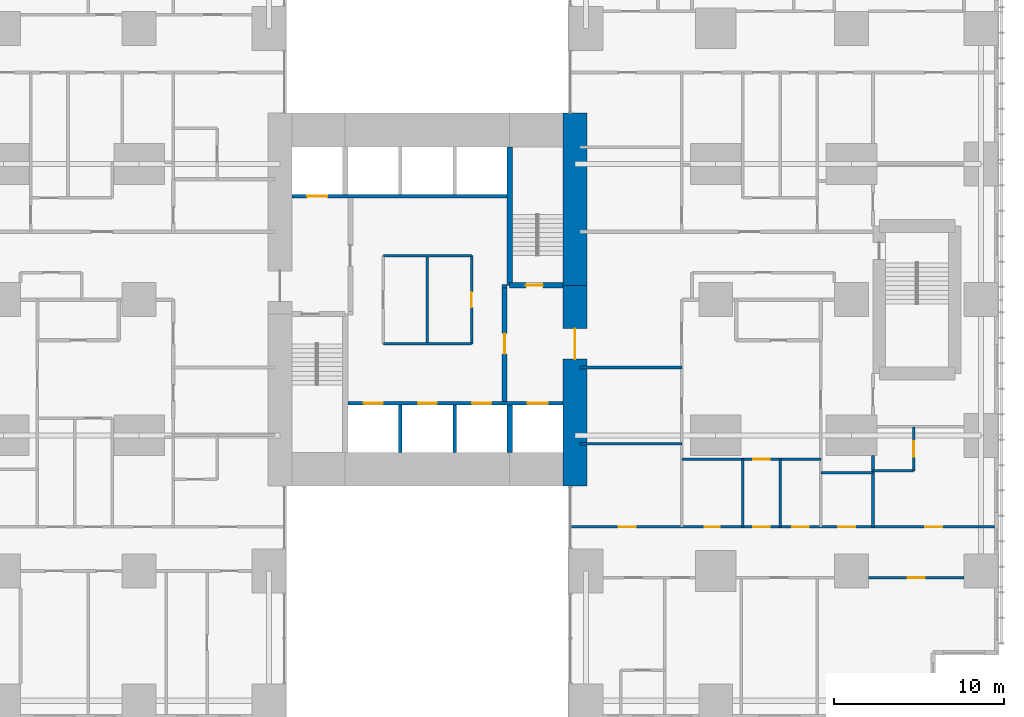
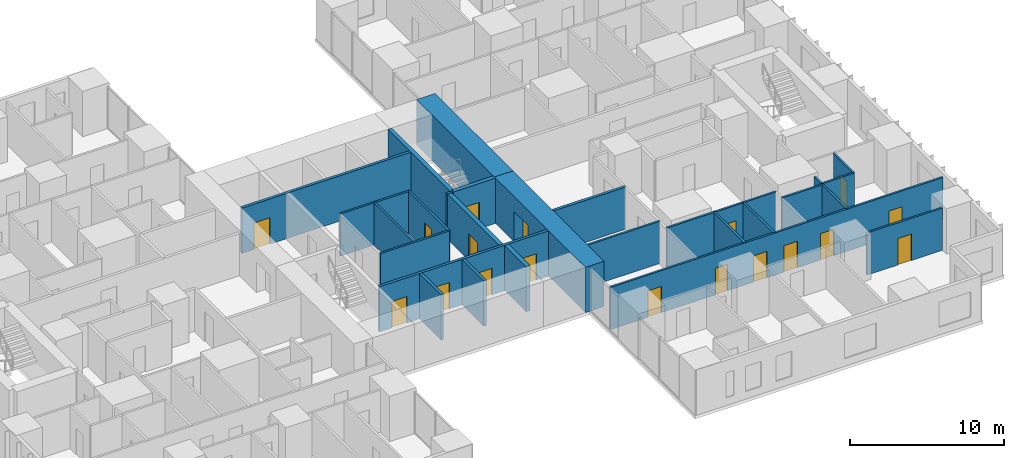
# One storey, part 15 of 20: 26 walls, 18 doors, 18 openings.
"""IFC4 building model written with IfcOpenShell, lengths in metres."""

import ifcopenshell
import ifcopenshell.guid

model = None  # the IFC model being written
_history = None  # IfcOwnerHistory: only IFC2X3 demands one
_inside = {}  # id of a spatial element -> (the spatial element, [elements in it])
_under = {}  # id of a project, library or spatial element -> (it, [spatial elements below it])
_declared = {}  # id of a project -> (the project, [libraries it declares])
_typed = {}  # id of a type object -> (the type object, [elements of that type])
_made_of = {}  # id of a material, layer set ... -> (it, [elements and type objects made of it])


def new_model(schema):
    """Start an empty IFC model of exactly this schema.

    Asked for "IFC4X3", IfcOpenShell would pick the latest addendum, in which some entities
    have other attributes; the version numbers below select the first issue.
    IFC2X3 requires an IfcOwnerHistory on every rooted entity: one is made here for all.
    """
    global model, _history
    if schema == "IFC4X3":
        model = ifcopenshell.file(schema_version=(4, 3, 0, 0))
    else:
        model = ifcopenshell.file(schema=schema)
    _inside.clear()
    _under.clear()
    _declared.clear()
    _typed.clear()
    _made_of.clear()
    _history = None
    if model.schema == "IFC2X3":
        org = make("IfcOrganization", Name="unknown")
        user = make(
            "IfcPersonAndOrganization",
            ThePerson=make("IfcPerson", FamilyName="unknown"),
            TheOrganization=org,
        )
        app = make(
            "IfcApplication",
            ApplicationDeveloper=org,
            Version="unknown",
            ApplicationFullName="unknown",
            ApplicationIdentifier="unknown",
        )
        _history = make(
            "IfcOwnerHistory",
            OwningUser=user,
            OwningApplication=app,
            ChangeAction="ADDED",
            CreationDate=0,
        )
    return model


def make(cls, **values):
    """One entity of the class cls with the attributes given. An attribute that is None is left unset."""
    return model.create_entity(
        cls, **{name: value for name, value in values.items() if value is not None}
    )


def rooted(cls, **values):
    """An entity with a GlobalId (a new one), such as an element, a storey or a relation."""
    return make(cls, GlobalId=ifcopenshell.guid.new(), OwnerHistory=_history, **values)


def si_unit(unit_type, name, prefix=None):
    """IfcSIUnit, for example si_unit("LENGTHUNIT", "METRE", prefix="MILLI")."""
    return make("IfcSIUnit", UnitType=unit_type, Prefix=prefix, Name=name)


def assignment(units):
    """IfcUnitAssignment: the units of a project."""
    return None if units is None else make("IfcUnitAssignment", Units=units)


def point(xyz):
    """IfcCartesianPoint."""
    return None if xyz is None else make("IfcCartesianPoint", Coordinates=xyz)


def direction(xyz):
    """IfcDirection."""
    return None if xyz is None else make("IfcDirection", DirectionRatios=xyz)


def frame(location, z_axis=None, x_axis=None):
    """IfcAxis2Placement3D, a coordinate frame: its origin and axes. An axis left out is left unset."""
    return make(
        "IfcAxis2Placement3D",
        Location=point(location),
        Axis=direction(z_axis),
        RefDirection=direction(x_axis),
    )


def frame_2d(location, x_axis=None):
    """IfcAxis2Placement2D, a coordinate frame in the plane: its origin and x axis."""
    return make(
        "IfcAxis2Placement2D", Location=point(location), RefDirection=direction(x_axis)
    )


def origin():
    """The frame at (0, 0, 0) with its axes left unset."""
    return frame((0.0, 0.0, 0.0))


def place(relative_to, where):
    """IfcLocalPlacement: puts the frame where relative to a parent placement (None: the world)."""
    return make(
        "IfcLocalPlacement", PlacementRelTo=relative_to, RelativePlacement=where
    )


def context(
    kind, dimensions, precision=None, world=None, true_north=None, identifier=None
):
    """IfcGeometricRepresentationContext, for example the 3D "Model" context."""
    return make(
        "IfcGeometricRepresentationContext",
        ContextIdentifier=identifier,
        ContextType=kind,
        CoordinateSpaceDimension=dimensions,
        Precision=precision,
        WorldCoordinateSystem=world,
        TrueNorth=true_north,
    )


def subcontext(parent, identifier, kind, view, scale=None):
    """IfcGeometricRepresentationSubContext, for example "Body" below "Model"."""
    return make(
        "IfcGeometricRepresentationSubContext",
        ContextIdentifier=identifier,
        ContextType=kind,
        ParentContext=parent,
        TargetScale=scale,
        TargetView=view,
    )


def project(units=None, contexts=None):
    """IfcProject with its units and contexts."""
    return rooted(
        "IfcProject",
        Name="project",
        RepresentationContexts=contexts,
        UnitsInContext=assignment(units),
    )


def spatial(cls, under=None, at=None, **own):
    """A site, building, storey or space (cls), placed at a placement, below another one or the project."""
    s = rooted(cls, ObjectPlacement=at, **own)
    if under is not None:
        _under.setdefault(under.id(), (under, []))[1].append(s)
    return s


def profile(cls, at=None, kind="AREA", **sizes):
    """A parametric profile (cls). Its sizes go by their IFC names, for example OverallWidth=200.0."""
    return make(cls, ProfileType=kind, Position=at, **sizes)


def rectangle(**sizes):
    """IfcRectangleProfileDef."""
    return profile("IfcRectangleProfileDef", **sizes)


def extrude(swept, where, along, depth):
    """IfcExtrudedAreaSolid: the profile swept, set in the frame where, extruded along a direction by depth."""
    return make(
        "IfcExtrudedAreaSolid",
        SweptArea=swept,
        Position=where,
        ExtrudedDirection=direction(along),
        Depth=depth,
    )


def shape(context_of_items, identifier, shape_type, items):
    """IfcShapeRepresentation: the items that make up one representation, for example the "Body"."""
    return make(
        "IfcShapeRepresentation",
        ContextOfItems=context_of_items,
        RepresentationIdentifier=identifier,
        RepresentationType=shape_type,
        Items=items,
    )


def material(Name=None, Category=None):
    """IfcMaterial."""
    return make("IfcMaterial", Name=Name, Category=Category)


def layer(
    of_material, thickness, ventilated=None, Name=None, Category=None, Priority=None
):
    """IfcMaterialLayer: one layer of a wall or slab, of a material (None: an air gap)."""
    return make(
        "IfcMaterialLayer",
        Material=of_material,
        LayerThickness=thickness,
        IsVentilated=ventilated,
        Name=Name,
        Category=Category,
        Priority=Priority,
    )


def layer_set(layers, Name=None):
    """IfcMaterialLayerSet."""
    return make("IfcMaterialLayerSet", MaterialLayers=layers, LayerSetName=Name)


def made_of(thing, what):
    """Note that an element or type object is made of a material, layer set ...; save() writes the relation."""
    if what is not None:
        _made_of.setdefault(what.id(), (what, []))[1].append(thing)
    return thing


def type_object(cls, material=None, **own):
    """A type object (cls), such as IfcWallType, which elements share."""
    return made_of(rooted(cls, **own), material)


def element(
    cls,
    number,
    at=None,
    inside=None,
    cuts=None,
    type_object=None,
    material=None,
    context=None,
    identifier="Body",
    shape_type=None,
    held_by="IfcProductDefinitionShape",
    body=None,
    shapes=None,
    **own,
):
    """One element of the class cls, such as IfcWall. Its Tag is "e" and its number.

    at: its placement. inside: the storey or other place that contains it. cuts: it is an
    opening in that element (IfcRelVoidsElement). A single representation is given by context,
    identifier, shape_type and body (its items); several are given by shapes. held_by: the class
    of the entity that holds the representations. save() writes the other relations.
    """
    e = rooted(cls, Tag="e%d" % number, ObjectPlacement=at, **own)
    if body is not None:
        shapes = [shape(context, identifier, shape_type, body)]
    if shapes is not None:
        e.Representation = make(held_by, Representations=shapes)
    if inside is not None:
        _inside.setdefault(inside.id(), (inside, []))[1].append(e)
    if cuts is not None:
        rooted(
            "IfcRelVoidsElement", RelatingBuildingElement=cuts, RelatedOpeningElement=e
        )
    if type_object is not None:
        _typed.setdefault(type_object.id(), (type_object, []))[1].append(e)
    return made_of(e, material)


def fill(opening, filler):
    """IfcRelFillsElement: the door or window that sits in an opening."""
    return rooted(
        "IfcRelFillsElement",
        RelatingOpeningElement=opening,
        RelatedBuildingElement=filler,
    )


def aggregate(whole, parts):
    """IfcRelAggregates: a whole, such as a stair, and the parts it consists of."""
    return rooted("IfcRelAggregates", RelatingObject=whole, RelatedObjects=parts)


def save(model, path):
    """Write the relations noted so far, then the file.

    IfcRelAggregates (storeys below a building ...), IfcRelContainedInSpatialStructure (elements
    in a storey), IfcRelDefinesByType, IfcRelAssociatesMaterial and IfcRelDeclares: one each for
    every whole, place, type object, material and project.
    """
    for whole, parts in _under.values():
        aggregate(whole, parts)
    for where, things in _inside.values():
        rooted(
            "IfcRelContainedInSpatialStructure",
            RelatedElements=things,
            RelatingStructure=where,
        )
    for kind, things in _typed.values():
        rooted("IfcRelDefinesByType", RelatedObjects=things, RelatingType=kind)
    for what, things in _made_of.values():
        rooted("IfcRelAssociatesMaterial", RelatedObjects=things, RelatingMaterial=what)
    for by, libraries in _declared.values():
        rooted("IfcRelDeclares", RelatingContext=by, RelatedDefinitions=libraries)
    model.write(path)


model = new_model("IFC4")

# Units and contexts
model_context = context("Model", 3, precision=1e-05, world=origin(), true_north=direction((0.0, 1.0)))
body_context = subcontext(model_context, "Body", "Model", "MODEL_VIEW")
ifc_project = project(units=[si_unit("LENGTHUNIT", "METRE"), si_unit("AREAUNIT", "SQUARE_METRE"), si_unit("VOLUMEUNIT", "CUBIC_METRE"), si_unit("PLANEANGLEUNIT", "RADIAN"), si_unit("MASSUNIT", "GRAM", prefix="KILO")], contexts=[model_context])

# Site, building, storey
site_placement = place(None, origin())
site = spatial("IfcSite", under=ifc_project, at=site_placement, CompositionType="ELEMENT")
building_placement = place(site_placement, origin())
building = spatial("IfcBuilding", under=site, at=building_placement, Name="Cleftline Residences", CompositionType="ELEMENT")
storey_placement = place(building_placement, frame((0.0, 0.0, 36.800048828125)))
storey = spatial("IfcBuildingStorey", under=building, at=storey_placement, Name="L08", CompositionType="ELEMENT", Elevation=36.800048828125)

# Wall, opening, door
ifc_material_1 = material(Name="Concrete B70", Category="concrete")
ifc_layer_1 = layer(ifc_material_1, 1.39990234375)
ifc_layer_set_1 = layer_set([ifc_layer_1], Name="CORE WALL 1400")
wall_type_1 = type_object("IfcWallType", Name="CORE WALL 1400", PredefinedType="SHEAR", material=ifc_layer_set_1)
wall_1_placement = place(storey_placement, frame((41.699951171875, 13.0, 0.0), z_axis=(0.0, 0.0, 1.0), x_axis=(0.0, 1.0, 0.0)))
wall_1 = element("IfcWall", 1, at=wall_1_placement, inside=storey, type_object=wall_type_1, Name="Core wall E", PredefinedType="SHEAR", context=body_context, shape_type="SweptSolid", body=[
    extrude(rectangle(XDim=11.85009765625, YDim=1.39990234375, at=frame_2d((5.925048828125, 0.0))), origin(), (0.0, 0.0, 1.0), 3.599853515625),
])
opening_1_placement = place(wall_1_placement, frame((7.5, 0.0, 0.0)))
opening_1 = element("IfcOpeningElement", 2, at=opening_1_placement, cuts=wall_1, Name="Opening D7", PredefinedType="OPENING", context=body_context, shape_type="SweptSolid", body=[
    extrude(rectangle(XDim=1.800048828125, YDim=2.39990234375, at=frame_2d((0.89990234375, 1.199951171875))), frame((0.0, 0.7099609375, 0.0), z_axis=(0.0, -1.0, 0.0), x_axis=(1.0, 0.0, 0.0)), (0.0, 0.0, 1.0), 1.419921875),
])
ifc_material_2 = material(Name="Steel", Category="steel")
door_type_1 = type_object("IfcDoorType", Name="WING DOOR 1800X2400", OperationType="DOUBLE_DOOR_DOUBLE_SWING", PredefinedType="DOOR", material=ifc_material_2)
door_1_placement = place(opening_1_placement, origin())
door_1 = element("IfcDoor", 3, at=door_1_placement, inside=storey, type_object=door_type_1, Name="East wing door", OperationType="DOUBLE_DOOR_DOUBLE_SWING", OverallHeight=2.39990234375, OverallWidth=1.800048828125, PredefinedType="DOOR", context=body_context, shape_type="SweptSolid", body=[
    extrude(rectangle(XDim=1.800048828125, YDim=2.39990234375, at=frame_2d((0.89990234375, 1.199951171875))), frame((0.0, 0.02490234375, 0.0), z_axis=(0.0, -1.0, 0.0), x_axis=(1.0, 0.0, 0.0)), (0.0, 0.0, 1.0), 0.050048828125),
])
fill(opening_1, door_1)

# Walls
wall_2_placement = place(storey_placement, frame((41.699951171875, 24.85009765625, 0.0), z_axis=(0.0, 0.0, 1.0), x_axis=(0.0, 1.0, 0.0)))
element("IfcWall", 4, at=wall_2_placement, inside=storey, type_object=wall_type_1, Name="Core wall E1", PredefinedType="SHEAR", context=body_context, shape_type="SweptSolid", body=[
    extrude(rectangle(XDim=10.14990234375, YDim=1.39990234375, at=frame_2d((5.074951171875, 0.0))), origin(), (0.0, 0.0, 1.0), 3.599853515625),
])
ifc_material_3 = material(Name="Concrete B70", Category="concrete")
ifc_layer_2 = layer(ifc_material_3, 0.300048828125)
ifc_layer_set_2 = layer_set([ifc_layer_2], Name="CORE WALL 300")
wall_type_2 = type_object("IfcWallType", Name="CORE WALL 300", PredefinedType="SHEAR", material=ifc_layer_set_2)
wall_3_placement = place(storey_placement, frame((37.85009765625, 24.85009765625, 0.0), z_axis=(0.0, 0.0, 1.0), x_axis=(0.0, 1.0, 0.0)))
element("IfcWall", 5, at=wall_3_placement, inside=storey, type_object=wall_type_2, Name="Core wall SB-W", PredefinedType="SHEAR", context=body_context, shape_type="SweptSolid", body=[
    extrude(rectangle(XDim=8.14990234375, YDim=0.300048828125, at=frame_2d((4.074951171875, 0.0))), origin(), (0.0, 0.0, 1.0), 3.599853515625),
])

# Wall, opening, door
wall_4_placement = place(storey_placement, frame((37.85009765625, 24.85009765625, 0.0), z_axis=(0.0, 0.0, 1.0), x_axis=(1.0, 0.0, 0.0)))
wall_4 = element("IfcWall", 6, at=wall_4_placement, inside=storey, type_object=wall_type_2, Name="Core wall SB-S", PredefinedType="SHEAR", context=body_context, shape_type="SweptSolid", body=[
    extrude(rectangle(XDim=3.14990234375, YDim=0.300048828125, at=frame_2d((1.574951171875, 0.0))), origin(), (0.0, 0.0, 1.0), 3.599853515625),
])
opening_2_placement = place(wall_4_placement, frame((0.949951171875, 0.0, 0.0)))
opening_2 = element("IfcOpeningElement", 7, at=opening_2_placement, cuts=wall_4, Name="Opening D5", PredefinedType="OPENING", context=body_context, shape_type="SweptSolid", body=[
    extrude(rectangle(XDim=1.0, YDim=2.10009765625, at=frame_2d((0.5, 1.050048828125))), frame((0.0, 0.159912109375, 0.0), z_axis=(0.0, -1.0, 0.0), x_axis=(1.0, 0.0, 0.0)), (0.0, 0.0, 1.0), 0.320068359375),
])
ifc_material_4 = material(Name="Steel", Category="steel")
door_type_2 = type_object("IfcDoorType", Name="STAIR DOOR 1000X2100", OperationType="SINGLE_SWING_LEFT", PredefinedType="DOOR", material=ifc_material_4)
door_2_placement = place(opening_2_placement, origin())
door_2 = element("IfcDoor", 8, at=door_2_placement, inside=storey, type_object=door_type_2, Name="Stair B door", OperationType="SINGLE_SWING_RIGHT", OverallHeight=2.10009765625, OverallWidth=1.0, PredefinedType="DOOR", context=body_context, shape_type="SweptSolid", body=[
    extrude(rectangle(XDim=1.0, YDim=2.10009765625, at=frame_2d((0.5, 1.050048828125))), frame((0.0, 0.02490234375, 0.0), z_axis=(0.0, -1.0, 0.0), x_axis=(1.0, 0.0, 0.0)), (0.0, 0.0, 1.0), 0.050048828125),
])
fill(opening_2, door_2)

# Walls
wall_5_placement = place(storey_placement, frame((37.85009765625, 15.0, 0.0), z_axis=(0.0, 0.0, 1.0), x_axis=(0.0, 1.0, 0.0)))
element("IfcWall", 9, at=wall_5_placement, inside=storey, type_object=wall_type_2, Name="Lift shaft wall", PredefinedType="SHEAR", context=body_context, shape_type="SweptSolid", body=[
    extrude(rectangle(XDim=2.800048828125, YDim=0.300048828125, at=frame_2d((1.39990234375, 0.0))), origin(), (0.0, 0.0, 1.0), 3.599853515625),
])
ifc_material_5 = material(Name="Concrete blockwork, fire rated", Category="masonry")
ifc_layer_3 = layer(ifc_material_5, 0.199951171875)
ifc_layer_set_3 = layer_set([ifc_layer_3], Name="FIRE WALL 200")
wall_type_3 = type_object("IfcWallType", Name="FIRE WALL 200", PredefinedType="PARTITIONING", material=ifc_layer_set_3)
wall_6_placement = place(storey_placement, frame((42.0, 20.0, 0.0), z_axis=(0.0, 0.0, 1.0), x_axis=(1.0, 0.0, 0.0)))
element("IfcWall", 10, at=wall_6_placement, inside=storey, type_object=wall_type_3, Name="Fire separating wall", PredefinedType="PARTITIONING", context=body_context, shape_type="SweptSolid", body=[
    extrude(rectangle(XDim=6.0, YDim=0.199951171875, at=frame_2d((3.0, 0.0))), origin(), (0.0, 0.0, 1.0), 3.349853515625),
])
wall_7_placement = place(storey_placement, frame((37.39990234375, 24.800048828125, 0.0), z_axis=(0.0, 0.0, 1.0), x_axis=(1.0, 0.0, 0.0)))
element("IfcWall", 11, at=wall_7_placement, inside=storey, type_object=wall_type_3, Name="Fire separating wall", PredefinedType="PARTITIONING", context=body_context, shape_type="SweptSolid", body=[
    extrude(rectangle(XDim=0.300048828125, YDim=0.199951171875, at=frame_2d((0.14990234375, 0.0))), origin(), (0.0, 0.0, 1.0), 3.599853515625),
])

# Wall, opening, door
ifc_material_6 = material(Name="Gypsum board on steel studs", Category="steel")
ifc_layer_4 = layer(ifc_material_6, 0.14990234375)
ifc_layer_set_4 = layer_set([ifc_layer_4], Name="PARTITION 150")
wall_type_4 = type_object("IfcWallType", Name="PARTITION 150", PredefinedType="PARTITIONING", material=ifc_layer_set_4)
wall_8_placement = place(storey_placement, frame((59.0, 7.60009765625, 0.0), z_axis=(0.0, 0.0, 1.0), x_axis=(1.0, 0.0, 0.0)))
wall_8 = element("IfcWall", 12, at=wall_8_placement, inside=storey, type_object=wall_type_4, Name="Partition", PredefinedType="PARTITIONING", context=body_context, shape_type="SweptSolid", body=[
    extrude(rectangle(XDim=5.64990234375, YDim=0.14990234375, at=frame_2d((2.824951171875, 0.0))), origin(), (0.0, 0.0, 1.0), 3.349853515625),
])
opening_3_placement = place(wall_8_placement, frame((2.324951171875, 0.0, 0.0)))
opening_3 = element("IfcOpeningElement", 13, at=opening_3_placement, cuts=wall_8, Name="Opening D2", PredefinedType="OPENING", context=body_context, shape_type="SweptSolid", body=[
    extrude(rectangle(XDim=1.0, YDim=2.10009765625, at=frame_2d((0.5, 1.050048828125))), frame((0.0, 0.0849609375, 0.0), z_axis=(0.0, -1.0, 0.0), x_axis=(1.0, 0.0, 0.0)), (0.0, 0.0, 1.0), 0.169921875),
])
ifc_material_7 = material(Name="Timber veneer on solid core", Category="wood")
door_type_3 = type_object("IfcDoorType", Name="DOOR 1000X2100", OperationType="SINGLE_SWING_LEFT", PredefinedType="DOOR", material=ifc_material_7)
door_3_placement = place(opening_3_placement, origin())
door_3 = element("IfcDoor", 14, at=door_3_placement, inside=storey, type_object=door_type_3, Name="Door to sea-view lounge", OperationType="SINGLE_SWING_LEFT", OverallHeight=2.10009765625, OverallWidth=1.0, PredefinedType="DOOR", context=body_context, shape_type="SweptSolid", body=[
    extrude(rectangle(XDim=1.0, YDim=2.10009765625, at=frame_2d((0.5, 1.050048828125))), frame((0.0, 0.02490234375, 0.0), z_axis=(0.0, -1.0, 0.0), x_axis=(1.0, 0.0, 0.0)), (0.0, 0.0, 1.0), 0.050048828125),
])
fill(opening_3, door_3)

# Wall, openings, doors
wall_9_placement = place(storey_placement, frame((41.43896484375, 10.60009765625, 0.0), z_axis=(0.0, 0.0, 1.0), x_axis=(1.0, 0.0, 0.0)))
wall_9 = element("IfcWall", 15, at=wall_9_placement, inside=storey, type_object=wall_type_4, Name="Partition", PredefinedType="PARTITIONING", context=body_context, shape_type="SweptSolid", body=[
    extrude(rectangle(XDim=25.010986328125, YDim=0.14990234375, at=frame_2d((12.50537109375, 0.0))), origin(), (0.0, 0.0, 1.0), 3.349853515625),
])
opening_4_placement = place(wall_9_placement, frame((10.760986328125, 0.0, 0.0)))
opening_4 = element("IfcOpeningElement", 16, at=opening_4_placement, cuts=wall_9, Name="Opening D2", PredefinedType="OPENING", context=body_context, shape_type="SweptSolid", body=[
    extrude(rectangle(XDim=1.0, YDim=2.10009765625, at=frame_2d((0.5, 1.050048828125))), frame((0.0, 0.0849609375, 0.0), z_axis=(0.0, -1.0, 0.0), x_axis=(1.0, 0.0, 0.0)), (0.0, 0.0, 1.0), 0.169921875),
])
opening_5_placement = place(wall_9_placement, frame((20.923583984375, 0.0, 0.0)))
opening_5 = element("IfcOpeningElement", 17, at=opening_5_placement, cuts=wall_9, Name="Opening D2", PredefinedType="OPENING", context=body_context, shape_type="SweptSolid", body=[
    extrude(rectangle(XDim=1.0, YDim=2.10009765625, at=frame_2d((0.5, 1.050048828125))), frame((0.0, 0.0849609375, 0.0), z_axis=(0.0, -1.0, 0.0), x_axis=(1.0, 0.0, 0.0)), (0.0, 0.0, 1.0), 0.169921875),
])
opening_6_placement = place(wall_9_placement, frame((15.798583984375, 0.0, 0.0)))
opening_6 = element("IfcOpeningElement", 18, at=opening_6_placement, cuts=wall_9, Name="Opening D2", PredefinedType="OPENING", context=body_context, shape_type="SweptSolid", body=[
    extrude(rectangle(XDim=1.0, YDim=2.10009765625, at=frame_2d((0.5, 1.050048828125))), frame((0.0, 0.0849609375, 0.0), z_axis=(0.0, -1.0, 0.0), x_axis=(1.0, 0.0, 0.0)), (0.0, 0.0, 1.0), 0.169921875),
])
opening_7_placement = place(wall_9_placement, frame((13.06103515625, 0.0, 0.0)))
opening_7 = element("IfcOpeningElement", 19, at=opening_7_placement, cuts=wall_9, Name="Opening D2", PredefinedType="OPENING", context=body_context, shape_type="SweptSolid", body=[
    extrude(rectangle(XDim=1.0, YDim=2.10009765625, at=frame_2d((0.5, 1.050048828125))), frame((0.0, 0.0849609375, 0.0), z_axis=(0.0, -1.0, 0.0), x_axis=(1.0, 0.0, 0.0)), (0.0, 0.0, 1.0), 0.169921875),
])
opening_8_placement = place(wall_9_placement, frame((7.910888671875, 0.0, 0.0)))
opening_8 = element("IfcOpeningElement", 20, at=opening_8_placement, cuts=wall_9, Name="Opening D1", PredefinedType="OPENING", context=body_context, shape_type="SweptSolid", body=[
    extrude(rectangle(XDim=0.89990234375, YDim=2.10009765625, at=frame_2d((0.449951171875, 1.050048828125))), frame((0.0, 0.0849609375, 0.0), z_axis=(0.0, -1.0, 0.0), x_axis=(1.0, 0.0, 0.0)), (0.0, 0.0, 1.0), 0.169921875),
])
opening_9_placement = place(wall_9_placement, frame((2.8359375, 0.0, 0.0)))
opening_9 = element("IfcOpeningElement", 21, at=opening_9_placement, cuts=wall_9, Name="Opening D2", PredefinedType="OPENING", context=body_context, shape_type="SweptSolid", body=[
    extrude(rectangle(XDim=1.0, YDim=2.10009765625, at=frame_2d((0.5, 1.050048828125))), frame((0.0, 0.0849609375, 0.0), z_axis=(0.0, -1.0, 0.0), x_axis=(1.0, 0.0, 0.0)), (0.0, 0.0, 1.0), 0.169921875),
])
door_4_placement = place(opening_4_placement, origin())
door_4 = element("IfcDoor", 22, at=door_4_placement, inside=storey, type_object=door_type_3, Name="Door to residence hall", OperationType="SINGLE_SWING_RIGHT", OverallHeight=2.10009765625, OverallWidth=1.0, PredefinedType="DOOR", context=body_context, shape_type="SweptSolid", body=[
    extrude(rectangle(XDim=1.0, YDim=2.10009765625, at=frame_2d((0.5, 1.050048828125))), frame((0.0, 0.02490234375, 0.0), z_axis=(0.0, -1.0, 0.0), x_axis=(1.0, 0.0, 0.0)), (0.0, 0.0, 1.0), 0.050048828125),
])
fill(opening_4, door_4)
door_5_placement = place(opening_5_placement, origin())
door_5 = element("IfcDoor", 23, at=door_5_placement, inside=storey, type_object=door_type_3, Name="Door to master bedroom", OperationType="SINGLE_SWING_LEFT", OverallHeight=2.10009765625, OverallWidth=1.0, PredefinedType="DOOR", context=body_context, shape_type="SweptSolid", body=[
    extrude(rectangle(XDim=1.0, YDim=2.10009765625, at=frame_2d((0.5, 1.050048828125))), frame((0.0, 0.02490234375, 0.0), z_axis=(0.0, -1.0, 0.0), x_axis=(1.0, 0.0, 0.0)), (0.0, 0.0, 1.0), 0.050048828125),
])
fill(opening_5, door_5)
door_6_placement = place(opening_6_placement, origin())
door_6 = element("IfcDoor", 24, at=door_6_placement, inside=storey, type_object=door_type_3, Name="Door to wet kitchen", OperationType="SINGLE_SWING_LEFT", OverallHeight=2.10009765625, OverallWidth=1.0, PredefinedType="DOOR", context=body_context, shape_type="SweptSolid", body=[
    extrude(rectangle(XDim=1.0, YDim=2.10009765625, at=frame_2d((0.5, 1.050048828125))), frame((0.0, 0.02490234375, 0.0), z_axis=(0.0, -1.0, 0.0), x_axis=(1.0, 0.0, 0.0)), (0.0, 0.0, 1.0), 0.050048828125),
])
fill(opening_6, door_6)
door_7_placement = place(opening_7_placement, origin())
door_7 = element("IfcDoor", 25, at=door_7_placement, inside=storey, type_object=door_type_3, Name="Door to media room", OperationType="SINGLE_SWING_LEFT", OverallHeight=2.10009765625, OverallWidth=1.0, PredefinedType="DOOR", context=body_context, shape_type="SweptSolid", body=[
    extrude(rectangle(XDim=1.0, YDim=2.10009765625, at=frame_2d((0.5, 1.050048828125))), frame((0.0, 0.02490234375, 0.0), z_axis=(0.0, -1.0, 0.0), x_axis=(1.0, 0.0, 0.0)), (0.0, 0.0, 1.0), 0.050048828125),
])
fill(opening_7, door_7)
door_8_placement = place(opening_9_placement, origin())
door_8 = element("IfcDoor", 26, at=door_8_placement, inside=storey, type_object=door_type_3, Name="Door to study", OperationType="SINGLE_SWING_RIGHT", OverallHeight=2.10009765625, OverallWidth=1.0, PredefinedType="DOOR", context=body_context, shape_type="SweptSolid", body=[
    extrude(rectangle(XDim=1.0, YDim=2.10009765625, at=frame_2d((0.5, 1.050048828125))), frame((0.0, 0.02490234375, 0.0), z_axis=(0.0, -1.0, 0.0), x_axis=(1.0, 0.0, 0.0)), (0.0, 0.0, 1.0), 0.050048828125),
])
fill(opening_9, door_8)
ifc_material_8 = material(Name="Timber veneer on solid core", Category="wood")
door_type_4 = type_object("IfcDoorType", Name="DOOR 900X2100", OperationType="SINGLE_SWING_LEFT", PredefinedType="DOOR", material=ifc_material_8)
door_9_placement = place(opening_8_placement, origin())
door_9 = element("IfcDoor", 27, at=door_9_placement, inside=storey, type_object=door_type_4, Name="Door to bedroom 2 bathroom", OperationType="SINGLE_SWING_RIGHT", OverallHeight=2.10009765625, OverallWidth=0.89990234375, PredefinedType="DOOR", context=body_context, shape_type="SweptSolid", body=[
    extrude(rectangle(XDim=0.89990234375, YDim=2.10009765625, at=frame_2d((0.449951171875, 1.050048828125))), frame((0.0, 0.02490234375, 0.0), z_axis=(0.0, -1.0, 0.0), x_axis=(1.0, 0.0, 0.0)), (0.0, 0.0, 1.0), 0.050048828125),
])
fill(opening_8, door_9)

# Walls
wall_10_placement = place(storey_placement, frame((56.199951171875, 13.800048828125, 0.0), z_axis=(0.0, 0.0, 1.0), x_axis=(1.0, 0.0, 0.0)))
element("IfcWall", 28, at=wall_10_placement, inside=storey, type_object=wall_type_4, Name="Partition", PredefinedType="PARTITIONING", context=body_context, shape_type="SweptSolid", body=[
    extrude(rectangle(XDim=3.074951171875, YDim=0.14990234375, at=frame_2d((1.53759765625, 0.0))), origin(), (0.0, 0.0, 1.0), 3.349853515625),
])
wall_11_placement = place(storey_placement, frame((59.27490234375, 13.89990234375, 0.0), z_axis=(0.0, 0.0, 1.0), x_axis=(1.0, 0.0, 0.0)))
element("IfcWall", 29, at=wall_11_placement, inside=storey, type_object=wall_type_4, Name="Partition", PredefinedType="PARTITIONING", context=body_context, shape_type="SweptSolid", body=[
    extrude(rectangle(XDim=2.400146484375, YDim=0.14990234375, at=frame_2d((1.2001953125, 0.0))), origin(), (0.0, 0.0, 1.0), 3.349853515625),
])

# Wall, opening, door
wall_12_placement = place(storey_placement, frame((48.0, 14.60009765625, 0.0), z_axis=(0.0, 0.0, 1.0), x_axis=(1.0, 0.0, 0.0)))
wall_12 = element("IfcWall", 30, at=wall_12_placement, inside=storey, type_object=wall_type_4, Name="Partition", PredefinedType="PARTITIONING", context=body_context, shape_type="SweptSolid", body=[
    extrude(rectangle(XDim=8.199951171875, YDim=0.14990234375, at=frame_2d((4.10009765625, 0.0))), origin(), (0.0, 0.0, 1.0), 3.349853515625),
])
opening_10_placement = place(wall_12_placement, frame((4.199951171875, 0.0, 0.0)))
opening_10 = element("IfcOpeningElement", 31, at=opening_10_placement, cuts=wall_12, Name="Opening D2", PredefinedType="OPENING", context=body_context, shape_type="SweptSolid", body=[
    extrude(rectangle(XDim=1.0, YDim=2.10009765625, at=frame_2d((0.5, 1.050048828125))), frame((0.0, 0.0849609375, 0.0), z_axis=(0.0, -1.0, 0.0), x_axis=(1.0, 0.0, 0.0)), (0.0, 0.0, 1.0), 0.169921875),
])
door_10_placement = place(opening_10_placement, origin())
door_10 = element("IfcDoor", 32, at=door_10_placement, inside=storey, type_object=door_type_3, Name="Door to residence passage", OperationType="SINGLE_SWING_LEFT", OverallHeight=2.10009765625, OverallWidth=1.0, PredefinedType="DOOR", context=body_context, shape_type="SweptSolid", body=[
    extrude(rectangle(XDim=1.0, YDim=2.10009765625, at=frame_2d((0.5, 1.050048828125))), frame((0.0, 0.02490234375, 0.0), z_axis=(0.0, -1.0, 0.0), x_axis=(1.0, 0.0, 0.0)), (0.0, 0.0, 1.0), 0.050048828125),
])
fill(opening_10, door_10)

# Walls
wall_13_placement = place(storey_placement, frame((42.0, 15.5, 0.0), z_axis=(0.0, 0.0, 1.0), x_axis=(1.0, 0.0, 0.0)))
element("IfcWall", 33, at=wall_13_placement, inside=storey, type_object=wall_type_4, Name="Partition", PredefinedType="PARTITIONING", context=body_context, shape_type="SweptSolid", body=[
    extrude(rectangle(XDim=6.0, YDim=0.14990234375, at=frame_2d((3.0, 0.0))), origin(), (0.0, 0.0, 1.0), 3.349853515625),
])
for number, where, z_axis, x_axis, name in (
    (34, (51.60009765625, 10.60009765625, 0.0), (0.0, 0.0, 1.0), (0.0, 1.0, 0.0), "Partition"),
    (35, (53.800048828125, 10.60009765625, 0.0), (0.0, 0.0, 1.0), (0.0, 1.0, 0.0), "Partition"),
):
    element("IfcWall", number, at=place(storey_placement, frame(where, z_axis=z_axis, x_axis=x_axis)), inside=storey, type_object=wall_type_4, Name=name, PredefinedType="PARTITIONING", context=body_context, shape_type="SweptSolid", body=[
        extrude(rectangle(XDim=4.0, YDim=0.14990234375, at=frame_2d((2.0, 0.0))), origin(), (0.0, 0.0, 1.0), 3.349853515625),
    ])
wall_14_placement = place(storey_placement, frame((59.27490234375, 10.60009765625, 0.0), z_axis=(0.0, 0.0, 1.0), x_axis=(0.0, 1.0, 0.0)))
element("IfcWall", 36, at=wall_14_placement, inside=storey, type_object=wall_type_4, Name="Partition", PredefinedType="PARTITIONING", context=body_context, shape_type="SweptSolid", body=[
    extrude(rectangle(XDim=4.199951171875, YDim=0.14990234375, at=frame_2d((2.10009765625, 0.0))), origin(), (0.0, 0.0, 1.0), 3.349853515625),
])

# Wall, opening, door
wall_15_placement = place(storey_placement, frame((61.675048828125, 13.89990234375, 0.0), z_axis=(0.0, 0.0, 1.0), x_axis=(0.0, 1.0, 0.0)))
wall_15 = element("IfcWall", 37, at=wall_15_placement, inside=storey, type_object=wall_type_4, Name="Partition", PredefinedType="PARTITIONING", context=body_context, shape_type="SweptSolid", body=[
    extrude(rectangle(XDim=2.60009765625, YDim=0.14990234375, at=frame_2d((1.300048828125, 0.0))), origin(), (0.0, 0.0, 1.0), 3.349853515625),
])
opening_11_placement = place(wall_15_placement, frame((0.85009765625, 0.0, 0.0)))
opening_11 = element("IfcOpeningElement", 38, at=opening_11_placement, cuts=wall_15, Name="Opening D1", PredefinedType="OPENING", context=body_context, shape_type="SweptSolid", body=[
    extrude(rectangle(XDim=0.89990234375, YDim=2.10009765625, at=frame_2d((0.449951171875, 1.050048828125))), frame((0.0, 0.0849609375, 0.0), z_axis=(0.0, -1.0, 0.0), x_axis=(1.0, 0.0, 0.0)), (0.0, 0.0, 1.0), 0.169921875),
])
door_11_placement = place(opening_11_placement, origin())
door_11 = element("IfcDoor", 39, at=door_11_placement, inside=storey, type_object=door_type_4, Name="Door to master bathroom", OperationType="SINGLE_SWING_LEFT", OverallHeight=2.10009765625, OverallWidth=0.89990234375, PredefinedType="DOOR", context=body_context, shape_type="SweptSolid", body=[
    extrude(rectangle(XDim=0.89990234375, YDim=2.10009765625, at=frame_2d((0.449951171875, 1.050048828125))), frame((0.0, 0.02490234375, 0.0), z_axis=(0.0, -1.0, 0.0), x_axis=(1.0, 0.0, 0.0)), (0.0, 0.0, 1.0), 0.050048828125),
])
fill(opening_11, door_11)

# Walls
ifc_material_9 = material(Name="Fire-resisting gypsum board on steel studs", Category="steel")
ifc_layer_5 = layer(ifc_material_9, 0.14990234375)
ifc_layer_set_5 = layer_set([ifc_layer_5], Name="PARTITION 150 EI 60")
wall_type_5 = type_object("IfcWallType", Name="PARTITION 150 EI 60", PredefinedType="PARTITIONING", material=ifc_layer_set_5)
for number, where, z_axis, x_axis, name in (
    (40, (30.39990234375, 21.39990234375, 0.0), (0.0, 0.0, 1.0), (1.0, 0.0, 0.0), "Core room partition"),
    (41, (30.39990234375, 26.60009765625, 0.0), (0.0, 0.0, 1.0), (1.0, 0.0, 0.0), "Core room partition"),
):
    element("IfcWall", number, at=place(storey_placement, frame(where, z_axis=z_axis, x_axis=x_axis)), inside=storey, type_object=wall_type_5, Name=name, PredefinedType="PARTITIONING", context=body_context, shape_type="SweptSolid", body=[
        extrude(rectangle(XDim=5.2001953125, YDim=0.14990234375, at=frame_2d((2.60009765625, 0.0))), origin(), (0.0, 0.0, 1.0), 3.349853515625),
    ])

# Wall, opening, door
wall_16_placement = place(storey_placement, frame((35.60009765625, 21.39990234375, 0.0), z_axis=(0.0, 0.0, 1.0), x_axis=(0.0, 1.0, 0.0)))
wall_16 = element("IfcWall", 42, at=wall_16_placement, inside=storey, type_object=wall_type_5, Name="Core room partition", PredefinedType="PARTITIONING", context=body_context, shape_type="SweptSolid", body=[
    extrude(rectangle(XDim=5.2001953125, YDim=0.14990234375, at=frame_2d((2.60009765625, 0.0))), origin(), (0.0, 0.0, 1.0), 3.349853515625),
])
opening_12_placement = place(wall_16_placement, frame((2.14990234375, 0.0, 0.0)))
opening_12 = element("IfcOpeningElement", 43, at=opening_12_placement, cuts=wall_16, Name="Opening D1F30", PredefinedType="OPENING", context=body_context, shape_type="SweptSolid", body=[
    extrude(rectangle(XDim=0.89990234375, YDim=2.10009765625, at=frame_2d((0.449951171875, 1.050048828125))), frame((0.0, 0.0849609375, 0.0), z_axis=(0.0, -1.0, 0.0), x_axis=(1.0, 0.0, 0.0)), (0.0, 0.0, 1.0), 0.169921875),
])
ifc_material_10 = material(Name="Timber veneer on solid core", Category="wood")
door_type_5 = type_object("IfcDoorType", Name="DOOR 900X2100 EI 30", OperationType="SINGLE_SWING_LEFT", PredefinedType="DOOR", material=ifc_material_10)
door_12_placement = place(opening_12_placement, origin())
door_12 = element("IfcDoor", 44, at=door_12_placement, inside=storey, type_object=door_type_5, Name="Door to cleaner's store", OperationType="SINGLE_SWING_LEFT", OverallHeight=2.10009765625, OverallWidth=0.89990234375, PredefinedType="DOOR", context=body_context, shape_type="SweptSolid", body=[
    extrude(rectangle(XDim=0.89990234375, YDim=2.10009765625, at=frame_2d((0.449951171875, 1.050048828125))), frame((0.0, 0.02490234375, 0.0), z_axis=(0.0, -1.0, 0.0), x_axis=(1.0, 0.0, 0.0)), (0.0, 0.0, 1.0), 0.050048828125),
])
fill(opening_12, door_12)

# Wall
wall_17_placement = place(storey_placement, frame((33.0, 21.39990234375, 0.0), z_axis=(0.0, 0.0, 1.0), x_axis=(0.0, 1.0, 0.0)))
element("IfcWall", 45, at=wall_17_placement, inside=storey, type_object=wall_type_5, Name="Core room partition", PredefinedType="PARTITIONING", context=body_context, shape_type="SweptSolid", body=[
    extrude(rectangle(XDim=5.2001953125, YDim=0.14990234375, at=frame_2d((2.60009765625, 0.0))), origin(), (0.0, 0.0, 1.0), 3.349853515625),
])

# Wall, openings, doors
ifc_material_11 = material(Name="Concrete blockwork, fire rated", Category="masonry")
ifc_layer_6 = layer(ifc_material_11, 0.199951171875)
ifc_layer_set_6 = layer_set([ifc_layer_6], Name="SHAFT WALL 200")
wall_type_6 = type_object("IfcWallType", Name="SHAFT WALL 200", PredefinedType="PARTITIONING", material=ifc_layer_set_6)
wall_18_placement = place(storey_placement, frame((28.300048828125, 17.89990234375, 0.0), z_axis=(0.0, 0.0, 1.0), x_axis=(1.0, 0.0, 0.0)))
wall_18 = element("IfcWall", 46, at=wall_18_placement, inside=storey, type_object=wall_type_6, Name="Lift shaft wall", PredefinedType="PARTITIONING", context=body_context, shape_type="SweptSolid", body=[
    extrude(rectangle(XDim=12.699951171875, YDim=0.199951171875, at=frame_2d((6.35009765625, 0.0))), origin(), (0.0, 0.0, 1.0), 3.599853515625),
])
opening_13_placement = place(wall_18_placement, frame((0.949951171875, 0.0, 0.0)))
opening_13 = element("IfcOpeningElement", 47, at=opening_13_placement, cuts=wall_18, Name="Opening LD1", PredefinedType="OPENING", context=body_context, shape_type="SweptSolid", body=[
    extrude(rectangle(XDim=1.10009765625, YDim=2.10009765625, at=frame_2d((0.550048828125, 1.050048828125))), frame((0.0, 0.10986328125, 0.0), z_axis=(0.0, -1.0, 0.0), x_axis=(1.0, 0.0, 0.0)), (0.0, 0.0, 1.0), 0.219970703125),
])
opening_14_placement = place(wall_18_placement, frame((4.14990234375, 0.0, 0.0)))
opening_14 = element("IfcOpeningElement", 48, at=opening_14_placement, cuts=wall_18, Name="Opening LD1", PredefinedType="OPENING", context=body_context, shape_type="SweptSolid", body=[
    extrude(rectangle(XDim=1.10009765625, YDim=2.10009765625, at=frame_2d((0.550048828125, 1.050048828125))), frame((0.0, 0.10986328125, 0.0), z_axis=(0.0, -1.0, 0.0), x_axis=(1.0, 0.0, 0.0)), (0.0, 0.0, 1.0), 0.219970703125),
])
opening_15_placement = place(wall_18_placement, frame((7.35009765625, 0.0, 0.0)))
opening_15 = element("IfcOpeningElement", 49, at=opening_15_placement, cuts=wall_18, Name="Opening LD1", PredefinedType="OPENING", context=body_context, shape_type="SweptSolid", body=[
    extrude(rectangle(XDim=1.10009765625, YDim=2.10009765625, at=frame_2d((0.550048828125, 1.050048828125))), frame((0.0, 0.10986328125, 0.0), z_axis=(0.0, -1.0, 0.0), x_axis=(1.0, 0.0, 0.0)), (0.0, 0.0, 1.0), 0.219970703125),
])
opening_16_placement = place(wall_18_placement, frame((10.60009765625, 0.0, 0.0)))
opening_16 = element("IfcOpeningElement", 50, at=opening_16_placement, cuts=wall_18, Name="Opening LD2", PredefinedType="OPENING", context=body_context, shape_type="SweptSolid", body=[
    extrude(rectangle(XDim=1.199951171875, YDim=2.10009765625, at=frame_2d((0.60009765625, 1.050048828125))), frame((0.0, 0.10986328125, 0.0), z_axis=(0.0, -1.0, 0.0), x_axis=(1.0, 0.0, 0.0)), (0.0, 0.0, 1.0), 0.219970703125),
])
ifc_material_12 = material(Name="Steel", Category="steel")
door_type_6 = type_object("IfcDoorType", Name="FIREFIGHTING LIFT LANDING DOOR 1200X2100", OperationType="SLIDING_TO_LEFT", PredefinedType="DOOR", material=ifc_material_12)
door_13_placement = place(opening_16_placement, origin())
door_13 = element("IfcDoor", 51, at=door_13_placement, inside=storey, type_object=door_type_6, Name="Lift FL2 landing door", OperationType="SLIDING_TO_LEFT", OverallHeight=2.10009765625, OverallWidth=1.199951171875, PredefinedType="DOOR", context=body_context, shape_type="SweptSolid", body=[
    extrude(rectangle(XDim=1.199951171875, YDim=2.10009765625, at=frame_2d((0.60009765625, 1.050048828125))), frame((0.0, 0.02490234375, 0.0), z_axis=(0.0, -1.0, 0.0), x_axis=(1.0, 0.0, 0.0)), (0.0, 0.0, 1.0), 0.050048828125),
])
fill(opening_16, door_13)
ifc_material_13 = material(Name="Steel", Category="steel")
door_type_7 = type_object("IfcDoorType", Name="LIFT LANDING DOOR 1100X2100", OperationType="SLIDING_TO_LEFT", PredefinedType="DOOR", material=ifc_material_13)
door_14_placement = place(opening_13_placement, origin())
door_14 = element("IfcDoor", 52, at=door_14_placement, inside=storey, type_object=door_type_7, Name="Lift P1 landing door", OperationType="SLIDING_TO_LEFT", OverallHeight=2.10009765625, OverallWidth=1.10009765625, PredefinedType="DOOR", context=body_context, shape_type="SweptSolid", body=[
    extrude(rectangle(XDim=1.10009765625, YDim=2.10009765625, at=frame_2d((0.550048828125, 1.050048828125))), frame((0.0, 0.02490234375, 0.0), z_axis=(0.0, -1.0, 0.0), x_axis=(1.0, 0.0, 0.0)), (0.0, 0.0, 1.0), 0.050048828125),
])
fill(opening_13, door_14)
door_15_placement = place(opening_14_placement, origin())
door_15 = element("IfcDoor", 53, at=door_15_placement, inside=storey, type_object=door_type_7, Name="Lift P2 landing door", OperationType="SLIDING_TO_LEFT", OverallHeight=2.10009765625, OverallWidth=1.10009765625, PredefinedType="DOOR", context=body_context, shape_type="SweptSolid", body=[
    extrude(rectangle(XDim=1.10009765625, YDim=2.10009765625, at=frame_2d((0.550048828125, 1.050048828125))), frame((0.0, 0.02490234375, 0.0), z_axis=(0.0, -1.0, 0.0), x_axis=(1.0, 0.0, 0.0)), (0.0, 0.0, 1.0), 0.050048828125),
])
fill(opening_14, door_15)
door_16_placement = place(opening_15_placement, origin())
door_16 = element("IfcDoor", 54, at=door_16_placement, inside=storey, type_object=door_type_7, Name="Lift P3 landing door", OperationType="SLIDING_TO_LEFT", OverallHeight=2.10009765625, OverallWidth=1.10009765625, PredefinedType="DOOR", context=body_context, shape_type="SweptSolid", body=[
    extrude(rectangle(XDim=1.10009765625, YDim=2.10009765625, at=frame_2d((0.550048828125, 1.050048828125))), frame((0.0, 0.02490234375, 0.0), z_axis=(0.0, -1.0, 0.0), x_axis=(1.0, 0.0, 0.0)), (0.0, 0.0, 1.0), 0.050048828125),
])
fill(opening_15, door_16)

# Wall, opening, door
wall_19_placement = place(storey_placement, frame((25.0, 30.10009765625, 0.0), z_axis=(0.0, 0.0, 1.0), x_axis=(1.0, 0.0, 0.0)))
wall_19 = element("IfcWall", 55, at=wall_19_placement, inside=storey, type_object=wall_type_6, Name="Lift shaft wall", PredefinedType="PARTITIONING", context=body_context, shape_type="SweptSolid", body=[
    extrude(rectangle(XDim=12.699951171875, YDim=0.199951171875, at=frame_2d((6.35009765625, 0.0))), origin(), (0.0, 0.0, 1.0), 3.599853515625),
])
opening_17_placement = place(wall_19_placement, frame((0.89990234375, 0.0, 0.0)))
opening_17 = element("IfcOpeningElement", 56, at=opening_17_placement, cuts=wall_19, Name="Opening LD2", PredefinedType="OPENING", context=body_context, shape_type="SweptSolid", body=[
    extrude(rectangle(XDim=1.199951171875, YDim=2.10009765625, at=frame_2d((0.60009765625, 1.050048828125))), frame((0.0, 0.10986328125, 0.0), z_axis=(0.0, -1.0, 0.0), x_axis=(1.0, 0.0, 0.0)), (0.0, 0.0, 1.0), 0.219970703125),
])
door_17_placement = place(opening_17_placement, origin())
door_17 = element("IfcDoor", 57, at=door_17_placement, inside=storey, type_object=door_type_6, Name="Lift FL1 landing door", OperationType="SLIDING_TO_LEFT", OverallHeight=2.10009765625, OverallWidth=1.199951171875, PredefinedType="DOOR", context=body_context, shape_type="SweptSolid", body=[
    extrude(rectangle(XDim=1.199951171875, YDim=2.10009765625, at=frame_2d((0.60009765625, 1.050048828125))), frame((0.0, 0.02490234375, 0.0), z_axis=(0.0, -1.0, 0.0), x_axis=(1.0, 0.0, 0.0)), (0.0, 0.0, 1.0), 0.050048828125),
])
fill(opening_17, door_17)

# Walls
for number, where, z_axis, x_axis, name in (
    (58, (31.39990234375, 15.0, 0.0), (0.0, 0.0, 1.0), (0.0, 1.0, 0.0), "Lift shaft wall"),
    (59, (34.60009765625, 15.0, 0.0), (0.0, 0.0, 1.0), (0.0, 1.0, 0.0), "Lift shaft wall"),
):
    element("IfcWall", number, at=place(storey_placement, frame(where, z_axis=z_axis, x_axis=x_axis)), inside=storey, type_object=wall_type_6, Name=name, PredefinedType="PARTITIONING", context=body_context, shape_type="SweptSolid", body=[
        extrude(rectangle(XDim=2.800048828125, YDim=0.199951171875, at=frame_2d((1.39990234375, 0.0))), origin(), (0.0, 0.0, 1.0), 3.599853515625),
    ])

# Wall, opening, door
ifc_material_14 = material(Name="Concrete blockwork, fire rated", Category="masonry")
ifc_layer_7 = layer(ifc_material_14, 0.300048828125)
ifc_layer_set_7 = layer_set([ifc_layer_7], Name="STAIR LOBBY WALL 300")
wall_type_7 = type_object("IfcWallType", Name="STAIR LOBBY WALL 300", PredefinedType="PARTITIONING", material=ifc_layer_set_7)
wall_20_placement = place(storey_placement, frame((37.550048828125, 18.0, 0.0), z_axis=(0.0, 0.0, 1.0), x_axis=(0.0, 1.0, 0.0)))
wall_20 = element("IfcWall", 60, at=wall_20_placement, inside=storey, type_object=wall_type_7, Name="Stair and lobby wall FB-W", PredefinedType="PARTITIONING", context=body_context, shape_type="SweptSolid", body=[
    extrude(rectangle(XDim=6.699951171875, YDim=0.300048828125, at=frame_2d((3.35009765625, 0.0))), origin(), (0.0, 0.0, 1.0), 3.599853515625),
])
opening_18_placement = place(wall_20_placement, frame((2.800048828125, 0.0, 0.0)))
opening_18 = element("IfcOpeningElement", 61, at=opening_18_placement, cuts=wall_20, Name="Opening D6", PredefinedType="OPENING", context=body_context, shape_type="SweptSolid", body=[
    extrude(rectangle(XDim=1.199951171875, YDim=2.10009765625, at=frame_2d((0.60009765625, 1.050048828125))), frame((0.0, 0.159912109375, 0.0), z_axis=(0.0, -1.0, 0.0), x_axis=(1.0, 0.0, 0.0)), (0.0, 0.0, 1.0), 0.320068359375),
])
ifc_material_15 = material(Name="Steel", Category="steel")
door_type_8 = type_object("IfcDoorType", Name="LOBBY DOOR 1200X2100", OperationType="SINGLE_SWING_RIGHT", PredefinedType="DOOR", material=ifc_material_15)
door_18_placement = place(opening_18_placement, origin())
door_18 = element("IfcDoor", 62, at=door_18_placement, inside=storey, type_object=door_type_8, Name="Firefighting lobby B door", OperationType="SINGLE_SWING_LEFT", OverallHeight=2.10009765625, OverallWidth=1.199951171875, PredefinedType="DOOR", context=body_context, shape_type="SweptSolid", body=[
    extrude(rectangle(XDim=1.199951171875, YDim=2.10009765625, at=frame_2d((0.60009765625, 1.050048828125))), frame((0.0, 0.02490234375, 0.0), z_axis=(0.0, -1.0, 0.0), x_axis=(1.0, 0.0, 0.0)), (0.0, 0.0, 1.0), 0.050048828125),
])
fill(opening_18, door_18)

save(model, "model.ifc")
